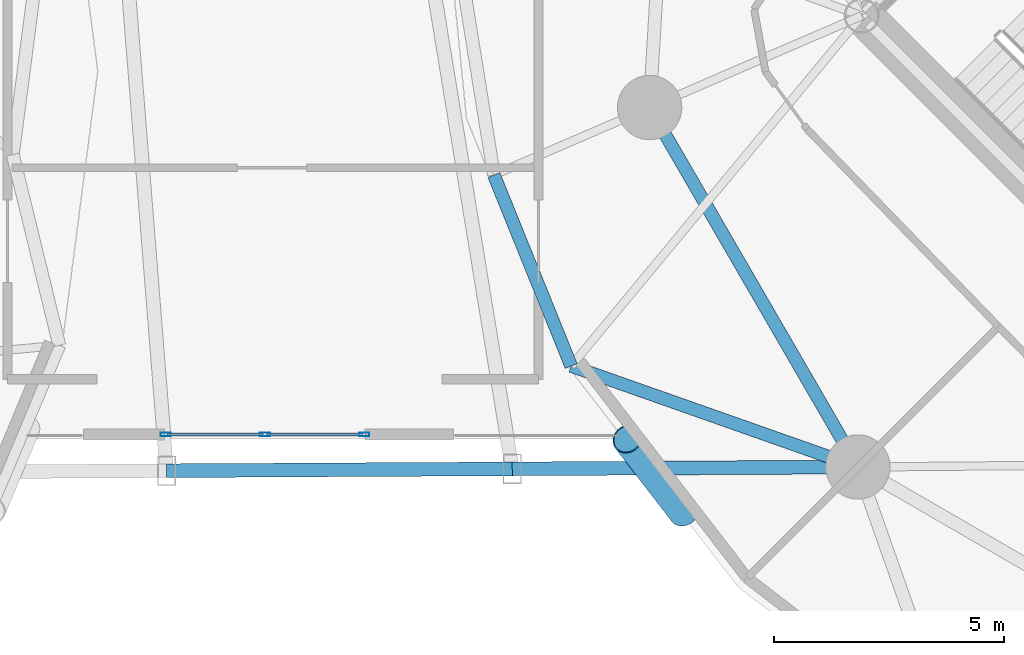
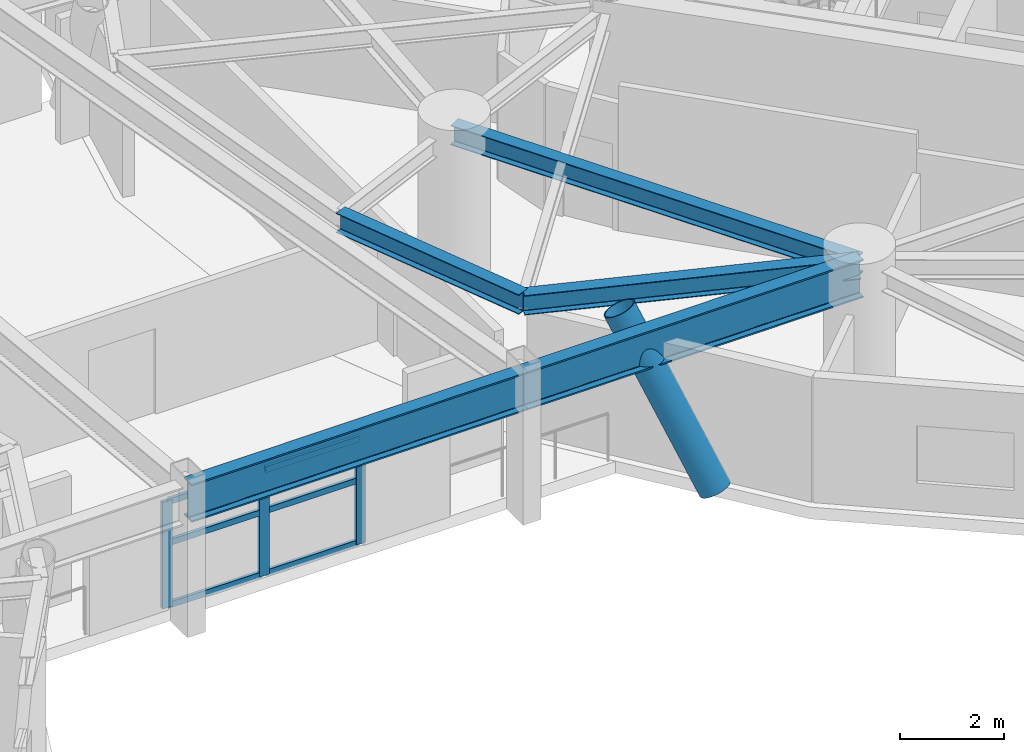
# One storey, part 4 of 19: 10 members, 5 beams, 1 element without a shape of its own.
"""IFC4 building model written with IfcOpenShell, lengths in metres."""

from ifc_helpers import new_model, si_unit, direction, frame, origin, origin_2d, place, context, subcontext, project, spatial, hollow_rectangle, hollow_circle, i_section, extrude, material, layer, layer_set, material_profile, profile_set, type_object, element, aggregate, save


model = new_model("IFC4")

# Units and contexts
model_context = context("Model", 3, precision=1e-05, world=origin(), true_north=direction((0.0, 1.0)))
body_context = subcontext(model_context, "Body", "Model", "MODEL_VIEW")
ifc_project = project(units=[si_unit("LENGTHUNIT", "METRE"), si_unit("AREAUNIT", "SQUARE_METRE"), si_unit("VOLUMEUNIT", "CUBIC_METRE"), si_unit("PLANEANGLEUNIT", "RADIAN"), si_unit("MASSUNIT", "GRAM", prefix="KILO")], contexts=[model_context])

# Site, building, storey
site_placement = place(None, origin())
site = spatial("IfcSite", under=ifc_project, at=site_placement, CompositionType="ELEMENT")
building_placement = place(site_placement, origin())
building = spatial("IfcBuilding", under=site, at=building_placement, Name="Cununo Teusaquillo Station Towers", CompositionType="ELEMENT")
storey_placement = place(building_placement, frame((0.0, 0.0, 132.8798828125)))
storey = spatial("IfcBuildingStorey", under=building, at=storey_placement, Name="L42", CompositionType="ELEMENT", Elevation=132.8798828125)

# Beams
ifc_material_1 = material(Name="Steel EN 10025-2 S355J2", Category="steel")
ifc_material_profile_1 = material_profile(ifc_material_1, i_section(OverallWidth=0.300048828125, OverallDepth=0.89990234375, WebThickness=0.0185546875, FlangeThickness=0.034912109375, FilletRadius=0.027099609375, at=origin_2d()), Name="HEB 900")
ifc_profile_set_1 = profile_set([ifc_material_profile_1], Name="Steel EN 10025-2 S355J2")
beam_type_1 = type_object("IfcBeamType", Name="BM-BRG-CH2", PredefinedType="BEAM", material=ifc_profile_set_1)
beam_1_placement = place(storey_placement, frame((33.862548828125, 15.81201171875, 2.990234375), z_axis=(0.999985459376, 0.00539268359, 0.0), x_axis=(-0.00539268359, 0.999985459376, 0.0)))
element("IfcBeam", 1, at=beam_1_placement, inside=storey, type_object=beam_type_1, Name="L42 Mid-Bridge Chord S2", PredefinedType="BEAM", context=body_context, shape_type="SweptSolid", body=[
    extrude(i_section(OverallWidth=0.300048828125, OverallDepth=0.89990234375, WebThickness=0.0185546875, FlangeThickness=0.034912109375, FilletRadius=0.027099609375, at=origin_2d()), origin(), (0.0, 0.0, 1.0), 7.51513671875),
])
beam_2_placement = place(storey_placement, frame((41.377685546875, 15.8525390625, 2.990234375), z_axis=(0.999985460321, 0.005392508411, 0.0), x_axis=(-0.005392508411, 0.999985460321, 0.0)))
element("IfcBeam", 2, at=beam_2_placement, inside=storey, type_object=beam_type_1, Name="L42 Mid-Bridge Chord S3", PredefinedType="BEAM", context=body_context, shape_type="SweptSolid", body=[
    extrude(i_section(OverallWidth=0.300048828125, OverallDepth=0.89990234375, WebThickness=0.0185546875, FlangeThickness=0.034912109375, FilletRadius=0.027099609375, at=origin_2d()), origin(), (0.0, 0.0, 1.0), 7.515380859375),
])
ifc_material_2 = material(Name="Steel ASTM A572 Grade 50", Category="steel")
ifc_material_profile_2 = material_profile(ifc_material_2, i_section(OverallWidth=0.280029296875, OverallDepth=0.462890625, WebThickness=0.0107421875, FlangeThickness=0.017333984375, FilletRadius=0.013916015625, at=origin_2d()), Name="W18X76")
ifc_profile_set_2 = profile_set([ifc_material_profile_2], Name="Steel ASTM A572 Grade 50")
beam_type_2 = type_object("IfcBeamType", Name="BM-RING-Z2", PredefinedType="SPANDREL", material=ifc_profile_set_2)
beam_3_placement = place(storey_placement, frame((44.36474609375, 23.708984375, 3.20849609375), z_axis=(0.501311121078, -0.865267103202, 0.0), x_axis=(0.865267103202, 0.501311121078, 0.0)))
element("IfcBeam", 3, at=beam_3_placement, inside=storey, type_object=beam_type_2, Name="L42 Tower B Structural Column Ring Girder 05", PredefinedType="SPANDREL", context=body_context, shape_type="SweptSolid", body=[
    extrude(i_section(OverallWidth=0.280029296875, OverallDepth=0.462890625, WebThickness=0.0107421875, FlangeThickness=0.017333984375, FilletRadius=0.013916015625, at=origin_2d()), origin(), (0.0, 0.0, 1.0), 9.032958984375),
])
beam_4_placement = place(storey_placement, frame((40.978515625, 22.242431640625, 3.20849609375), z_axis=(0.375042266631, -0.927007712072, 0.0), x_axis=(0.927007712072, 0.375042266631, 0.0)))
element("IfcBeam", 4, at=beam_4_placement, inside=storey, type_object=beam_type_2, Name="L42 Tower B Spandrel Ring Beam 09", PredefinedType="SPANDREL", context=body_context, shape_type="SweptSolid", body=[
    extrude(i_section(OverallWidth=0.280029296875, OverallDepth=0.462890625, WebThickness=0.0107421875, FlangeThickness=0.017333984375, FilletRadius=0.013916015625, at=origin_2d()), origin(), (0.0, 0.0, 1.0), 4.480712890625),
])
beam_5_placement = place(storey_placement, frame((42.658935546875, 18.0888671875, 3.20849609375), z_axis=(0.943202901767, -0.332217227276, 0.0), x_axis=(0.332217227276, 0.943202901767, 0.0)))
element("IfcBeam", 5, at=beam_5_placement, inside=storey, type_object=beam_type_2, Name="L42 Tower B Spandrel Ring Beam 10", PredefinedType="SPANDREL", context=body_context, shape_type="SweptSolid", body=[
    extrude(i_section(OverallWidth=0.280029296875, OverallDepth=0.462890625, WebThickness=0.0107421875, FlangeThickness=0.017333984375, FilletRadius=0.013916015625, at=origin_2d()), origin(), (0.0, 0.0, 1.0), 6.609619140625),
])

# Curtain wall, members
ifc_material_3 = material(Name="Ceramic-fritted dark low-E double glazing", Category="glass")
ifc_layer = layer(ifc_material_3, 0.179931640625)
ifc_layer_set = layer_set([ifc_layer], Name="Ceramic-fritted dark low-E double glazing")
curtain_wall_type = type_object("IfcCurtainWallType", Name="CW-SYS-05", PredefinedType="USERDEFINED", material=ifc_layer_set)
curtain_wall_placement = place(storey_placement, origin())
curtain_wall = element("IfcCurtainWall", 6, at=curtain_wall_placement, inside=storey, type_object=curtain_wall_type, Name="L42 Mid-Bridge S Observation Curtain Wall", ObjectType="FRITTED GLAZING", PredefinedType="USERDEFINED")
ifc_material_4 = material(Name="Anodised dark bronze aluminium EN AW-6063-T6", Category="aluminium")
ifc_material_profile_3 = material_profile(ifc_material_4, hollow_rectangle(XDim=0.080078125, YDim=0.219970703125, WallThickness=0.0048828125, at=origin_2d()), Name="CW-MULL-80x220")
ifc_profile_set_3 = profile_set([ifc_material_profile_3], Name="Anodised dark bronze aluminium EN AW-6063-T6")
member_type_1 = type_object("IfcMemberType", Name="CWM-220", PredefinedType="MULLION", material=ifc_profile_set_3)
member_1_placement = place(storey_placement, frame((38.159912109375, 16.60009765625, 0.0), z_axis=(0.0, 0.0, 1.0), x_axis=(0.0, -1.0, 0.0)))
member_1 = element("IfcMember", 7, at=member_1_placement, type_object=member_type_1, Name="CW-05 mullion 1", PredefinedType="MULLION", context=body_context, shape_type="SweptSolid", body=[
    extrude(hollow_rectangle(XDim=0.080078125, YDim=0.219970703125, WallThickness=0.0048828125, at=origin_2d()), origin(), (0.0, 0.0, 1.0), 2.51220703125),
])
member_2_placement = place(storey_placement, frame((36.0, 16.60009765625, 0.0), z_axis=(0.0, 0.0, 1.0), x_axis=(0.0, -1.0, 0.0)))
member_2 = element("IfcMember", 8, at=member_2_placement, type_object=member_type_1, Name="CW-05 mullion 2", PredefinedType="MULLION", context=body_context, shape_type="SweptSolid", body=[
    extrude(hollow_rectangle(XDim=0.080078125, YDim=0.219970703125, WallThickness=0.0048828125, at=origin_2d()), origin(), (0.0, 0.0, 1.0), 2.51220703125),
])
member_3_placement = place(storey_placement, frame((33.840087890625, 16.60009765625, 0.0), z_axis=(0.0, 0.0, 1.0), x_axis=(0.0, -1.0, 0.0)))
member_3 = element("IfcMember", 9, at=member_3_placement, type_object=member_type_1, Name="CW-05 mullion 3", PredefinedType="MULLION", context=body_context, shape_type="SweptSolid", body=[
    extrude(hollow_rectangle(XDim=0.080078125, YDim=0.219970703125, WallThickness=0.0048828125, at=origin_2d()), origin(), (0.0, 0.0, 1.0), 2.51220703125),
])
ifc_material_5 = material(Name="Anodised dark bronze aluminium EN AW-6063-T6", Category="aluminium")
ifc_material_profile_4 = material_profile(ifc_material_5, hollow_rectangle(XDim=0.070068359375, YDim=0.139892578125, WallThickness=0.00390625, at=origin_2d()), Name="CW-TRAN-70x140")
ifc_profile_set_4 = profile_set([ifc_material_profile_4], Name="Anodised dark bronze aluminium EN AW-6063-T6")
member_type_2 = type_object("IfcMemberType", Name="CWT-140", PredefinedType="USERDEFINED", material=ifc_profile_set_4)
member_4_placement = place(storey_placement, frame((38.1201171875, 16.60009765625, 0.03515625), z_axis=(-1.0, 0.0, 0.0), x_axis=(0.0, -1.0, 0.0)))
member_4 = element("IfcMember", 10, at=member_4_placement, type_object=member_type_2, Name="CW-05 transom 1.1", ObjectType="TRANSOM", PredefinedType="USERDEFINED", context=body_context, shape_type="SweptSolid", body=[
    extrude(hollow_rectangle(XDim=0.070068359375, YDim=0.139892578125, WallThickness=0.00390625, at=origin_2d()), origin(), (0.0, 0.0, 1.0), 2.080078125),
])
member_5_placement = place(storey_placement, frame((38.1201171875, 16.60009765625, 1.507080078125), z_axis=(-1.0, 0.0, 0.0), x_axis=(0.0, -1.0, 0.0)))
member_5 = element("IfcMember", 11, at=member_5_placement, type_object=member_type_2, Name="CW-05 transom 1.2", ObjectType="TRANSOM", PredefinedType="USERDEFINED", context=body_context, shape_type="SweptSolid", body=[
    extrude(hollow_rectangle(XDim=0.070068359375, YDim=0.139892578125, WallThickness=0.00390625, at=origin_2d()), origin(), (0.0, 0.0, 1.0), 2.080078125),
])
member_6_placement = place(storey_placement, frame((38.1201171875, 16.60009765625, 2.47705078125), z_axis=(-1.0, 0.0, 0.0), x_axis=(0.0, -1.0, 0.0)))
member_6 = element("IfcMember", 12, at=member_6_placement, type_object=member_type_2, Name="CW-05 transom 1.3", ObjectType="TRANSOM", PredefinedType="USERDEFINED", context=body_context, shape_type="SweptSolid", body=[
    extrude(hollow_rectangle(XDim=0.070068359375, YDim=0.139892578125, WallThickness=0.00390625, at=origin_2d()), origin(), (0.0, 0.0, 1.0), 2.080078125),
])
member_7_placement = place(storey_placement, frame((35.9599609375, 16.60009765625, 0.03515625), z_axis=(-1.0, 0.0, 0.0), x_axis=(0.0, -1.0, 0.0)))
member_7 = element("IfcMember", 13, at=member_7_placement, type_object=member_type_2, Name="CW-05 transom 2.1", ObjectType="TRANSOM", PredefinedType="USERDEFINED", context=body_context, shape_type="SweptSolid", body=[
    extrude(hollow_rectangle(XDim=0.070068359375, YDim=0.139892578125, WallThickness=0.00390625, at=origin_2d()), origin(), (0.0, 0.0, 1.0), 2.080078125),
])
member_8_placement = place(storey_placement, frame((35.9599609375, 16.60009765625, 1.507080078125), z_axis=(-1.0, 0.0, 0.0), x_axis=(0.0, -1.0, 0.0)))
member_8 = element("IfcMember", 14, at=member_8_placement, type_object=member_type_2, Name="CW-05 transom 2.2", ObjectType="TRANSOM", PredefinedType="USERDEFINED", context=body_context, shape_type="SweptSolid", body=[
    extrude(hollow_rectangle(XDim=0.070068359375, YDim=0.139892578125, WallThickness=0.00390625, at=origin_2d()), origin(), (0.0, 0.0, 1.0), 2.080078125),
])
member_9_placement = place(storey_placement, frame((35.9599609375, 16.60009765625, 2.47705078125), z_axis=(-1.0, 0.0, 0.0), x_axis=(0.0, -1.0, 0.0)))
member_9 = element("IfcMember", 15, at=member_9_placement, type_object=member_type_2, Name="CW-05 transom 2.3", ObjectType="TRANSOM", PredefinedType="USERDEFINED", context=body_context, shape_type="SweptSolid", body=[
    extrude(hollow_rectangle(XDim=0.070068359375, YDim=0.139892578125, WallThickness=0.00390625, at=origin_2d()), origin(), (0.0, 0.0, 1.0), 2.080078125),
])
aggregate(curtain_wall, [member_1, member_2, member_3, member_4, member_5, member_6, member_7, member_8, member_9])

# Member
ifc_material_6 = material(Name="Steel EN 10025-2 S355J2", Category="steel")
ifc_material_profile_5 = material_profile(ifc_material_6, hollow_circle(Radius=0.330078125, WallThickness=0.02490234375, at=origin_2d()), Name="CHS 660x25")
ifc_profile_set_5 = profile_set([ifc_material_profile_5], Name="Steel EN 10025-2 S355J2")
member_type_3 = type_object("IfcMemberType", Name="MBR-DIAG-Z2", PredefinedType="BRACE", material=ifc_profile_set_5)
member_10_placement = place(storey_placement, frame((45.104248046875, 14.914306640625, -0.139892578125), z_axis=(-0.289367521779, 0.375692417453, 0.88040992998), x_axis=(-0.792243348803, -0.610205273886, 0.0)))
element("IfcMember", 16, at=member_10_placement, inside=storey, type_object=member_type_3, Name="L42 Tower B Folded-Zigzag Diagrid Tube C09", PredefinedType="BRACE", context=body_context, shape_type="SweptSolid", body=[
    extrude(hollow_circle(Radius=0.330078125, WallThickness=0.02490234375, at=origin_2d()), origin(), (0.0, 0.0, 1.0), 4.225341796875),
])

save(model, "model.ifc")
